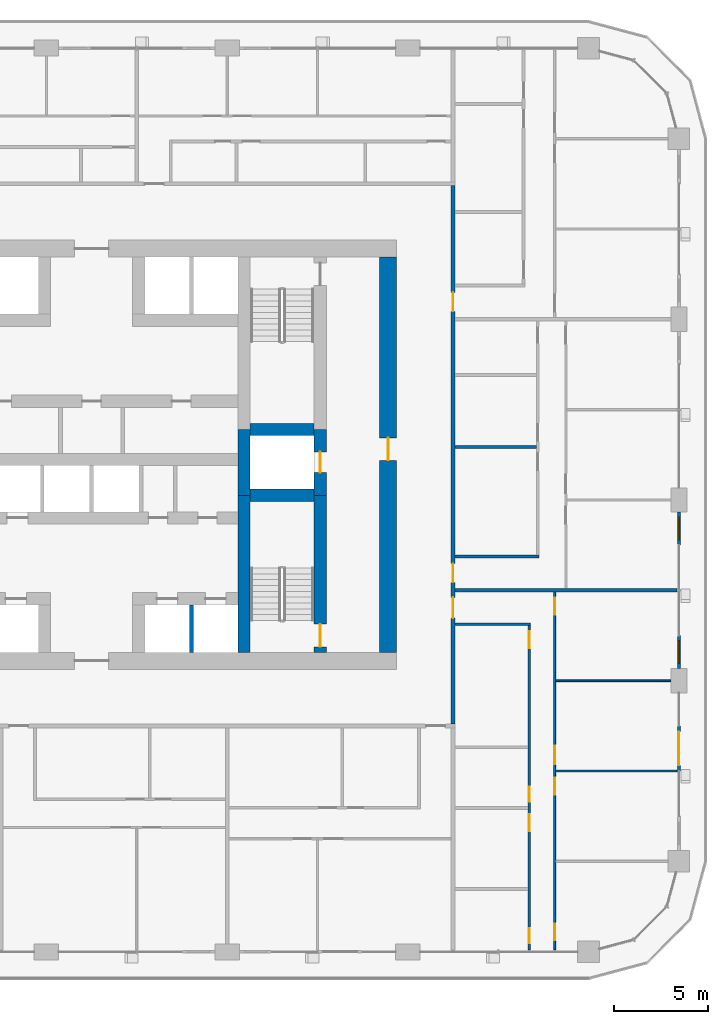
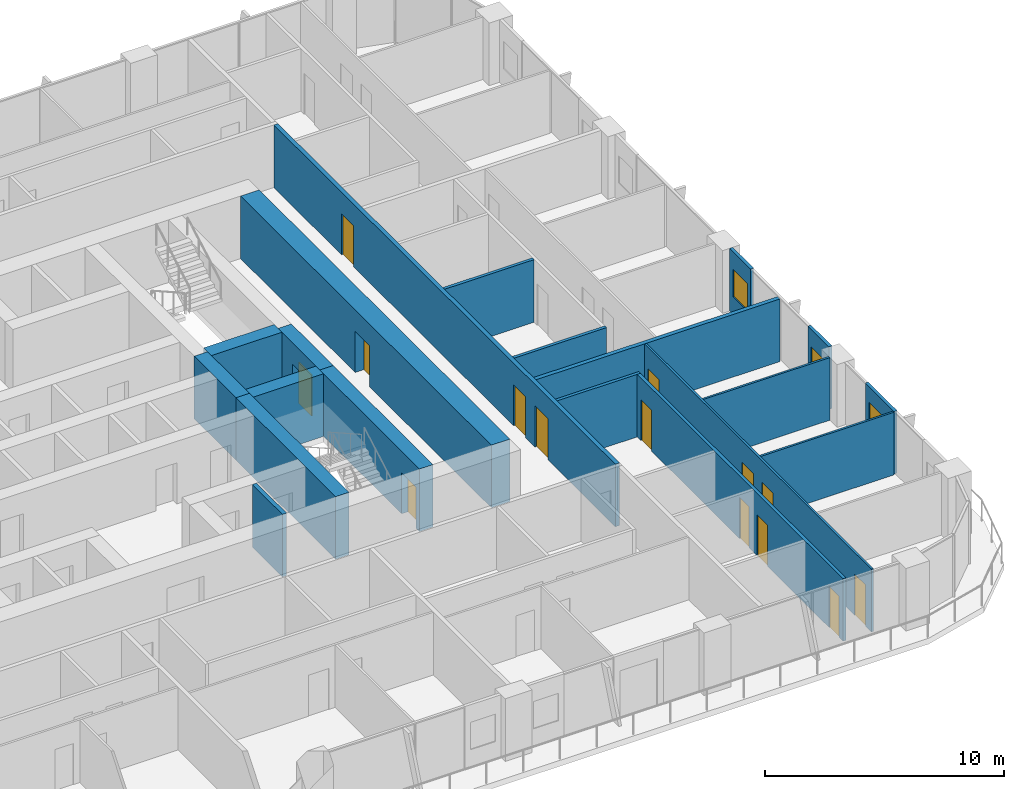
# One storey, part 12 of 22: 20 walls, 15 doors, 2 windows, 17 openings.
"""IFC4 building model written with IfcOpenShell, lengths in metres."""

from ifc_helpers import new_model, si_unit, direction, frame, frame_2d, origin, place, context, subcontext, project, spatial, rectangle, extrude, material, layer, layer_set, type_object, element, fill, save


model = new_model("IFC4")

# Units and contexts
model_context = context("Model", 3, precision=1e-05, world=origin(), true_north=direction((0.0, 1.0)))
body_context = subcontext(model_context, "Body", "Model", "MODEL_VIEW")
ifc_project = project(units=[si_unit("LENGTHUNIT", "METRE"), si_unit("AREAUNIT", "SQUARE_METRE"), si_unit("VOLUMEUNIT", "CUBIC_METRE"), si_unit("PLANEANGLEUNIT", "RADIAN"), si_unit("MASSUNIT", "GRAM", prefix="KILO")], contexts=[model_context])

# Site, building, storey
site_placement = place(None, origin())
site = spatial("IfcSite", under=ifc_project, at=site_placement, CompositionType="ELEMENT")
building_placement = place(site_placement, origin())
building = spatial("IfcBuilding", under=site, at=building_placement, Name="Madar Terraces", CompositionType="ELEMENT")
storey_placement = place(building_placement, frame((0.0, 0.0, 76.800048828125)))
storey = spatial("IfcBuildingStorey", under=building, at=storey_placement, Name="L19", CompositionType="ELEMENT", Elevation=76.800048828125)

# Walls
ifc_material_1 = material(Name="Concrete C80/95", Category="concrete")
ifc_layer_1 = layer(ifc_material_1, 0.64990234375)
ifc_layer_set_1 = layer_set([ifc_layer_1], Name="Concrete C80/95 (CIW2 RC wall 650)")
wall_type_1 = type_object("IfcWallType", Name="CIW2 RC wall 650", PredefinedType="SHEAR", material=ifc_layer_set_1)
wall_1_placement = place(storey_placement, frame((39.300048828125, 15.89990234375, 0.0), z_axis=(0.0, 0.0, 1.0), x_axis=(0.0, 1.0, 0.0)))
element("IfcWall", 1, at=wall_1_placement, inside=storey, type_object=wall_type_1, Name="CORE SHAFT WALL", PredefinedType="SHEAR", context=body_context, shape_type="SweptSolid", body=[
    extrude(rectangle(XDim=8.35009765625, YDim=0.64990234375, at=frame_2d((4.175048828125, 0.0))), origin(), (0.0, 0.0, 1.0), 3.199951171875),
])
wall_2_placement = place(storey_placement, frame((39.300048828125, 24.25, 0.0), z_axis=(0.0, 0.0, 1.0), x_axis=(0.0, 1.0, 0.0)))
element("IfcWall", 2, at=wall_2_placement, inside=storey, type_object=wall_type_1, Name="CORE SHAFT WALL", PredefinedType="SHEAR", context=body_context, shape_type="SweptSolid", body=[
    extrude(rectangle(XDim=3.5, YDim=0.64990234375, at=frame_2d((1.75, 0.0))), origin(), (0.0, 0.0, 1.0), 3.199951171875),
])

# Wall, opening, door
wall_3_placement = place(storey_placement, frame((43.35009765625, 15.89990234375, 0.0), z_axis=(0.0, 0.0, 1.0), x_axis=(0.0, 1.0, 0.0)))
wall_3 = element("IfcWall", 3, at=wall_3_placement, inside=storey, type_object=wall_type_1, Name="CORE SHAFT WALL", PredefinedType="SHEAR", context=body_context, shape_type="SweptSolid", body=[
    extrude(rectangle(XDim=8.35009765625, YDim=0.64990234375, at=frame_2d((4.175048828125, 0.0))), origin(), (0.0, 0.0, 1.0), 3.199951171875),
])
opening_1_placement = place(wall_3_placement, frame((0.300048828125, 0.0, 0.0)))
opening_1 = element("IfcOpeningElement", 4, at=opening_1_placement, cuts=wall_3, Name="Opening SD1", PredefinedType="OPENING", context=body_context, shape_type="SweptSolid", body=[
    extrude(rectangle(XDim=1.199951171875, YDim=2.10009765625, at=frame_2d((0.60009765625, 1.050048828125))), frame((0.0, 0.3349609375, 0.0), z_axis=(0.0, -1.0, 0.0), x_axis=(1.0, 0.0, 0.0)), (0.0, 0.0, 1.0), 0.669921875),
])
ifc_material_2 = material(Name="Steel door leaf", Category="steel")
door_type_1 = type_object("IfcDoorType", Name="Stair door 1200 x 2100", OperationType="NOTDEFINED", PredefinedType="DOOR", material=ifc_material_2)
door_1_placement = place(opening_1_placement, origin())
door_1 = element("IfcDoor", 5, at=door_1_placement, inside=storey, type_object=door_type_1, Name="STAIR DOOR", OperationType="SINGLE_SWING_RIGHT", OverallHeight=2.10009765625, OverallWidth=1.199951171875, PredefinedType="DOOR", context=body_context, shape_type="SweptSolid", body=[
    extrude(rectangle(XDim=1.199951171875, YDim=2.10009765625, at=frame_2d((0.60009765625, 1.050048828125))), frame((0.0, 0.02490234375, 0.0), z_axis=(0.0, -1.0, 0.0), x_axis=(1.0, 0.0, 0.0)), (0.0, 0.0, 1.0), 0.050048828125),
])
fill(opening_1, door_1)

wall_4_placement = place(storey_placement, frame((43.35009765625, 24.25, 0.0), z_axis=(0.0, 0.0, 1.0), x_axis=(0.0, 1.0, 0.0)))
wall_4 = element("IfcWall", 6, at=wall_4_placement, inside=storey, type_object=wall_type_1, Name="CORE SHAFT WALL", PredefinedType="SHEAR", context=body_context, shape_type="SweptSolid", body=[
    extrude(rectangle(XDim=3.5, YDim=0.64990234375, at=frame_2d((1.75, 0.0))), origin(), (0.0, 0.0, 1.0), 3.199951171875),
])
opening_2_placement = place(wall_4_placement, frame((1.199951171875, 0.0, 0.0)))
opening_2 = element("IfcOpeningElement", 7, at=opening_2_placement, cuts=wall_4, Name="Opening LD", PredefinedType="OPENING", context=body_context, shape_type="SweptSolid", body=[
    extrude(rectangle(XDim=1.10009765625, YDim=2.10009765625, at=frame_2d((0.550048828125, 1.050048828125))), frame((0.0, 0.3349609375, 0.0), z_axis=(0.0, -1.0, 0.0), x_axis=(1.0, 0.0, 0.0)), (0.0, 0.0, 1.0), 0.669921875),
])
ifc_material_3 = material(Name="Stainless steel panel", Category="steel")
door_type_2 = type_object("IfcDoorType", Name="Lift landing door 1100 x 2100", OperationType="DOUBLE_DOOR_SLIDING", PredefinedType="DOOR", material=ifc_material_3)
door_2_placement = place(opening_2_placement, origin())
door_2 = element("IfcDoor", 8, at=door_2_placement, inside=storey, type_object=door_type_2, Name="LIFT LANDING DOOR", OperationType="DOUBLE_DOOR_SLIDING", OverallHeight=2.10009765625, OverallWidth=1.10009765625, PredefinedType="DOOR", context=body_context, shape_type="SweptSolid", body=[
    extrude(rectangle(XDim=1.10009765625, YDim=2.10009765625, at=frame_2d((0.550048828125, 1.050048828125))), frame((0.0, 0.02490234375, 0.0), z_axis=(0.0, -1.0, 0.0), x_axis=(1.0, 0.0, 0.0)), (0.0, 0.0, 1.0), 0.050048828125),
])
fill(opening_2, door_2)

# Walls
for number, where, z_axis, x_axis, name in (
    (9, (39.625, 24.25, 0.0), (0.0, 0.0, 1.0), (1.0, 0.0, 0.0), "CORE SHAFT WALL"),
    (10, (39.625, 27.75, 0.0), (0.0, 0.0, 1.0), (1.0, 0.0, 0.0), "CORE SHAFT WALL"),
):
    element("IfcWall", number, at=place(storey_placement, frame(where, z_axis=z_axis, x_axis=x_axis)), inside=storey, type_object=wall_type_1, Name=name, PredefinedType="SHEAR", context=body_context, shape_type="SweptSolid", body=[
        extrude(rectangle(XDim=3.39990234375, YDim=0.64990234375, at=frame_2d((1.699951171875, 0.0))), origin(), (0.0, 0.0, 1.0), 3.199951171875),
    ])

# Wall, opening, door
ifc_material_4 = material(Name="Concrete C80/95", Category="concrete")
ifc_layer_2 = layer(ifc_material_4, 0.89990234375)
ifc_layer_set_2 = layer_set([ifc_layer_2], Name="Concrete C80/95 (CRW2 RC wall 900)")
wall_type_2 = type_object("IfcWallType", Name="CRW2 RC wall 900", PredefinedType="SHEAR", material=ifc_layer_set_2)
wall_5_placement = place(storey_placement, frame((46.949951171875, 15.89990234375, 0.0), z_axis=(0.0, 0.0, 1.0), x_axis=(0.0, 1.0, 0.0)))
wall_5 = element("IfcWall", 11, at=wall_5_placement, inside=storey, type_object=wall_type_2, Name="CORE OUTER WALL", PredefinedType="SHEAR", context=body_context, shape_type="SweptSolid", body=[
    extrude(rectangle(XDim=21.0, YDim=0.89990234375, at=frame_2d((10.5, 0.0))), origin(), (0.0, 0.0, 1.0), 3.199951171875),
])
opening_3_placement = place(wall_5_placement, frame((10.199951171875, 0.0, 0.0)))
opening_3 = element("IfcOpeningElement", 12, at=opening_3_placement, cuts=wall_5, Name="Opening SD1", PredefinedType="OPENING", context=body_context, shape_type="SweptSolid", body=[
    extrude(rectangle(XDim=1.199951171875, YDim=2.10009765625, at=frame_2d((0.60009765625, 1.050048828125))), frame((0.0, 0.4599609375, 0.0), z_axis=(0.0, -1.0, 0.0), x_axis=(1.0, 0.0, 0.0)), (0.0, 0.0, 1.0), 0.919921875),
])
door_3_placement = place(opening_3_placement, origin())
door_3 = element("IfcDoor", 13, at=door_3_placement, inside=storey, type_object=door_type_1, Name="STAIR DOOR", OperationType="SINGLE_SWING_LEFT", OverallHeight=2.10009765625, OverallWidth=1.199951171875, PredefinedType="DOOR", context=body_context, shape_type="SweptSolid", body=[
    extrude(rectangle(XDim=1.199951171875, YDim=2.10009765625, at=frame_2d((0.60009765625, 1.050048828125))), frame((0.0, 0.02490234375, 0.0), z_axis=(0.0, -1.0, 0.0), x_axis=(1.0, 0.0, 0.0)), (0.0, 0.0, 1.0), 0.050048828125),
])
fill(opening_3, door_3)

# Wall
ifc_material_5 = material(Name="Concrete C40/50", Category="concrete")
ifc_layer_3 = layer(ifc_material_5, 0.199951171875)
ifc_layer_set_3 = layer_set([ifc_layer_3], Name="Core shaft dividing wall 200 C40/50")
wall_type_3 = type_object("IfcWallType", Name="Core shaft dividing wall 200 C40/50", PredefinedType="SOLIDWALL", material=ifc_layer_set_3)
wall_6_placement = place(storey_placement, frame((36.5, 15.89990234375, 0.0), z_axis=(0.0, 0.0, 1.0), x_axis=(0.0, 1.0, 0.0)))
element("IfcWall", 14, at=wall_6_placement, inside=storey, type_object=wall_type_3, Name="SHAFT DIVIDING WALL", PredefinedType="SOLIDWALL", context=body_context, shape_type="SweptSolid", body=[
    extrude(rectangle(XDim=2.525146484375, YDim=0.199951171875, at=frame_2d((1.2626953125, 0.0))), origin(), (0.0, 0.0, 1.0), 3.199951171875),
])

# Wall, opening, door
ifc_material_6 = material(Name="Aluminium composite panel, black, over insulated backing", Category="aluminium")
ifc_layer_4 = layer(ifc_material_6, 0.14990234375)
ifc_layer_set_4 = layer_set([ifc_layer_4], Name="Facade bay panel 150")
wall_type_4 = type_object("IfcWallType", Name="Facade bay panel 150", PredefinedType="SOLIDWALL", material=ifc_layer_set_4)
wall_7_placement = place(storey_placement, frame((62.39990234375, 9.60009765625, 0.0), z_axis=(0.0, 0.0, 1.0), x_axis=(0.0, 1.0, 0.0)))
wall_7 = element("IfcWall", 15, at=wall_7_placement, inside=storey, type_object=wall_type_4, Name="Facade bay panel", PredefinedType="SOLIDWALL", context=body_context, shape_type="SweptSolid", body=[
    extrude(rectangle(XDim=2.39990234375, YDim=0.14990234375, at=frame_2d((1.199951171875, 0.0))), origin(), (0.0, 0.0, 1.0), 3.199951171875),
])
opening_4_placement = place(wall_7_placement, frame((0.300048828125, 0.0, 0.0)))
opening_4 = element("IfcOpeningElement", 16, at=opening_4_placement, cuts=wall_7, Name="Opening ED1", PredefinedType="OPENING", context=body_context, shape_type="SweptSolid", body=[
    extrude(rectangle(XDim=1.800048828125, YDim=2.39990234375, at=frame_2d((0.89990234375, 1.199951171875))), frame((0.0, 0.0849609375, 0.0), z_axis=(0.0, -1.0, 0.0), x_axis=(1.0, 0.0, 0.0)), (0.0, 0.0, 1.0), 0.169921875),
])
ifc_material_7 = material(Name="Glass, clear, with black aluminium frame", Category="aluminium")
door_type_3 = type_object("IfcDoorType", Name="Balcony and terrace sliding door 1800 x 2400", OperationType="SLIDING_TO_LEFT", PredefinedType="DOOR", material=ifc_material_7)
door_4_placement = place(opening_4_placement, origin())
door_4 = element("IfcDoor", 17, at=door_4_placement, inside=storey, type_object=door_type_3, Name="Balcony door", OperationType="SLIDING_TO_LEFT", OverallHeight=2.39990234375, OverallWidth=1.800048828125, PredefinedType="DOOR", context=body_context, shape_type="SweptSolid", body=[
    extrude(rectangle(XDim=1.800048828125, YDim=2.39990234375, at=frame_2d((0.89990234375, 1.199951171875))), frame((0.0, 0.02490234375, 0.0), z_axis=(0.0, -1.0, 0.0), x_axis=(1.0, 0.0, 0.0)), (0.0, 0.0, 1.0), 0.050048828125),
])
fill(opening_4, door_4)

# Wall, opening, window
wall_8_placement = place(storey_placement, frame((62.39990234375, 15.050048828125, 0.0), z_axis=(0.0, 0.0, 1.0), x_axis=(0.0, 1.0, 0.0)))
wall_8 = element("IfcWall", 18, at=wall_8_placement, inside=storey, type_object=wall_type_4, Name="Facade bay panel", PredefinedType="SOLIDWALL", context=body_context, shape_type="SweptSolid", body=[
    extrude(rectangle(XDim=1.75, YDim=0.14990234375, at=frame_2d((0.875, 0.0))), origin(), (0.0, 0.0, 1.0), 3.199951171875),
])
opening_5_placement = place(wall_8_placement, frame((0.27490234375, 0.0, 0.89990234375)))
opening_5 = element("IfcOpeningElement", 19, at=opening_5_placement, cuts=wall_8, Name="Opening W1", PredefinedType="OPENING", context=body_context, shape_type="SweptSolid", body=[
    extrude(rectangle(XDim=1.199951171875, YDim=1.39990234375, at=frame_2d((0.60009765625, 0.699951171875))), frame((0.0, 0.0849609375, 0.0), z_axis=(0.0, -1.0, 0.0), x_axis=(1.0, 0.0, 0.0)), (0.0, 0.0, 1.0), 0.169921875),
])
ifc_material_8 = material(Name="Glass, clear, with black aluminium frame", Category="aluminium")
window_type = type_object("IfcWindowType", Name="Vent window 1200 x 1400", PartitioningType="SINGLE_PANEL", PredefinedType="WINDOW", material=ifc_material_8)
window_1_placement = place(opening_5_placement, origin())
window_1 = element("IfcWindow", 20, at=window_1_placement, inside=storey, type_object=window_type, Name="Operable vent window", OverallHeight=1.39990234375, OverallWidth=1.199951171875, PartitioningType="SINGLE_PANEL", PredefinedType="WINDOW", context=body_context, shape_type="SweptSolid", body=[
    extrude(rectangle(XDim=1.199951171875, YDim=1.39990234375, at=frame_2d((0.60009765625, 0.699951171875))), frame((0.0, 0.030029296875, 0.0), z_axis=(0.0, -1.0, 0.0), x_axis=(1.0, 0.0, 0.0)), (0.0, 0.0, 1.0), 0.06005859375),
])
fill(opening_5, window_1)

wall_9_placement = place(storey_placement, frame((62.39990234375, 21.60009765625, 0.0), z_axis=(0.0, 0.0, 1.0), x_axis=(0.0, 1.0, 0.0)))
wall_9 = element("IfcWall", 21, at=wall_9_placement, inside=storey, type_object=wall_type_4, Name="Facade bay panel", PredefinedType="SOLIDWALL", context=body_context, shape_type="SweptSolid", body=[
    extrude(rectangle(XDim=1.75, YDim=0.14990234375, at=frame_2d((0.875, 0.0))), origin(), (0.0, 0.0, 1.0), 3.199951171875),
])
opening_6_placement = place(wall_9_placement, frame((0.27490234375, 0.0, 0.89990234375)))
opening_6 = element("IfcOpeningElement", 22, at=opening_6_placement, cuts=wall_9, Name="Opening W1", PredefinedType="OPENING", context=body_context, shape_type="SweptSolid", body=[
    extrude(rectangle(XDim=1.199951171875, YDim=1.39990234375, at=frame_2d((0.60009765625, 0.699951171875))), frame((0.0, 0.0849609375, 0.0), z_axis=(0.0, -1.0, 0.0), x_axis=(1.0, 0.0, 0.0)), (0.0, 0.0, 1.0), 0.169921875),
])
window_2_placement = place(opening_6_placement, origin())
window_2 = element("IfcWindow", 23, at=window_2_placement, inside=storey, type_object=window_type, Name="Operable vent window", OverallHeight=1.39990234375, OverallWidth=1.199951171875, PartitioningType="SINGLE_PANEL", PredefinedType="WINDOW", context=body_context, shape_type="SweptSolid", body=[
    extrude(rectangle(XDim=1.199951171875, YDim=1.39990234375, at=frame_2d((0.60009765625, 0.699951171875))), frame((0.0, 0.030029296875, 0.0), z_axis=(0.0, -1.0, 0.0), x_axis=(1.0, 0.0, 0.0)), (0.0, 0.0, 1.0), 0.06005859375),
])
fill(opening_6, window_2)

# Walls
ifc_material_9 = material(Name="Gypsum board on steel studs", Category="steel")
ifc_layer_5 = layer(ifc_material_9, 0.10009765625)
ifc_layer_set_5 = layer_set([ifc_layer_5], Name="Flat partition 100")
wall_type_5 = type_object("IfcWallType", Name="Flat partition 100", PredefinedType="PARTITIONING", material=ifc_layer_set_5)
wall_10_placement = place(storey_placement, frame((55.85009765625, 14.39990234375, 0.0), z_axis=(0.0, 0.0, 1.0), x_axis=(1.0, 0.0, 0.0)))
element("IfcWall", 24, at=wall_10_placement, inside=storey, type_object=wall_type_5, Name="Flat partition 100", PredefinedType="PARTITIONING", context=body_context, shape_type="SweptSolid", body=[
    extrude(rectangle(XDim=6.125, YDim=0.10009765625, at=frame_2d((3.0625, 0.0))), origin(), (0.0, 0.0, 1.0), 3.199951171875),
])
wall_11_placement = place(storey_placement, frame((55.85009765625, 9.60009765625, 0.0), z_axis=(0.0, 0.0, 1.0), x_axis=(1.0, 0.0, 0.0)))
element("IfcWall", 25, at=wall_11_placement, inside=storey, type_object=wall_type_5, Name="Flat partition 100", PredefinedType="PARTITIONING", context=body_context, shape_type="SweptSolid", body=[
    extrude(rectangle(XDim=6.449951171875, YDim=0.10009765625, at=frame_2d((3.22509765625, 0.0))), origin(), (0.0, 0.0, 1.0), 3.199951171875),
])

# Wall, openings, doors
wall_12_placement = place(storey_placement, frame((55.800048828125, 19.10009765625, 0.0), z_axis=(0.0, 0.0, 1.0), x_axis=(0.0, -1.0, 0.0)))
wall_12 = element("IfcWall", 26, at=wall_12_placement, inside=storey, type_object=wall_type_5, Name="Flat partition 100", PredefinedType="PARTITIONING", context=body_context, shape_type="SweptSolid", body=[
    extrude(rectangle(XDim=19.0, YDim=0.10009765625, at=frame_2d((9.5, 0.0))), origin(), (0.0, 0.0, 1.0), 3.199951171875),
])
opening_7_placement = place(wall_12_placement, frame((0.300048828125, 0.0, 0.0)))
opening_7 = element("IfcOpeningElement", 27, at=opening_7_placement, cuts=wall_12, Name="Opening D2", PredefinedType="OPENING", context=body_context, shape_type="SweptSolid", body=[
    extrude(rectangle(XDim=0.89990234375, YDim=2.10009765625, at=frame_2d((0.449951171875, 1.050048828125))), frame((0.0, 0.06005859375, 0.0), z_axis=(0.0, -1.0, 0.0), x_axis=(1.0, 0.0, 0.0)), (0.0, 0.0, 1.0), 0.1201171875),
])
opening_8_placement = place(wall_12_placement, frame((8.14990234375, 0.0, 0.0)))
opening_8 = element("IfcOpeningElement", 28, at=opening_8_placement, cuts=wall_12, Name="Opening D3", PredefinedType="OPENING", context=body_context, shape_type="SweptSolid", body=[
    extrude(rectangle(XDim=1.0, YDim=2.10009765625, at=frame_2d((0.5, 1.050048828125))), frame((0.0, 0.06005859375, 0.0), z_axis=(0.0, -1.0, 0.0), x_axis=(1.0, 0.0, 0.0)), (0.0, 0.0, 1.0), 0.1201171875),
])
opening_9_placement = place(wall_12_placement, frame((9.85009765625, 0.0, 0.0)))
opening_9 = element("IfcOpeningElement", 29, at=opening_9_placement, cuts=wall_12, Name="Opening D2", PredefinedType="OPENING", context=body_context, shape_type="SweptSolid", body=[
    extrude(rectangle(XDim=0.89990234375, YDim=2.10009765625, at=frame_2d((0.449951171875, 1.050048828125))), frame((0.0, 0.06005859375, 0.0), z_axis=(0.0, -1.0, 0.0), x_axis=(1.0, 0.0, 0.0)), (0.0, 0.0, 1.0), 0.1201171875),
])
opening_10_placement = place(wall_12_placement, frame((17.60009765625, 0.0, 0.0)))
opening_10 = element("IfcOpeningElement", 30, at=opening_10_placement, cuts=wall_12, Name="Opening D2", PredefinedType="OPENING", context=body_context, shape_type="SweptSolid", body=[
    extrude(rectangle(XDim=0.89990234375, YDim=2.10009765625, at=frame_2d((0.449951171875, 1.050048828125))), frame((0.0, 0.06005859375, 0.0), z_axis=(0.0, -1.0, 0.0), x_axis=(1.0, 0.0, 0.0)), (0.0, 0.0, 1.0), 0.1201171875),
])
ifc_material_10 = material(Name="Timber door leaf", Category="wood")
door_type_4 = type_object("IfcDoorType", Name="Flat living room door 1000", OperationType="NOTDEFINED", PredefinedType="DOOR", material=ifc_material_10)
door_5_placement = place(opening_8_placement, origin())
door_5 = element("IfcDoor", 31, at=door_5_placement, inside=storey, type_object=door_type_4, Name="Flat living room door 1000", OperationType="SINGLE_SWING_RIGHT", OverallHeight=2.10009765625, OverallWidth=1.0, PredefinedType="DOOR", context=body_context, shape_type="SweptSolid", body=[
    extrude(rectangle(XDim=1.0, YDim=2.10009765625, at=frame_2d((0.5, 1.050048828125))), frame((0.0, 0.02490234375, 0.0), z_axis=(0.0, -1.0, 0.0), x_axis=(1.0, 0.0, 0.0)), (0.0, 0.0, 1.0), 0.050048828125),
])
fill(opening_8, door_5)
ifc_material_11 = material(Name="Timber door leaf", Category="wood")
door_type_5 = type_object("IfcDoorType", Name="Flat room door 900", OperationType="NOTDEFINED", PredefinedType="DOOR", material=ifc_material_11)
door_6_placement = place(opening_7_placement, origin())
door_6 = element("IfcDoor", 32, at=door_6_placement, inside=storey, type_object=door_type_5, Name="Flat room door 900", OperationType="SINGLE_SWING_LEFT", OverallHeight=2.10009765625, OverallWidth=0.89990234375, PredefinedType="DOOR", context=body_context, shape_type="SweptSolid", body=[
    extrude(rectangle(XDim=0.89990234375, YDim=2.10009765625, at=frame_2d((0.449951171875, 1.050048828125))), frame((0.0, 0.02490234375, 0.0), z_axis=(0.0, -1.0, 0.0), x_axis=(1.0, 0.0, 0.0)), (0.0, 0.0, 1.0), 0.050048828125),
])
fill(opening_7, door_6)
door_7_placement = place(opening_9_placement, origin())
door_7 = element("IfcDoor", 33, at=door_7_placement, inside=storey, type_object=door_type_5, Name="Flat room door 900", OperationType="SINGLE_SWING_LEFT", OverallHeight=2.10009765625, OverallWidth=0.89990234375, PredefinedType="DOOR", context=body_context, shape_type="SweptSolid", body=[
    extrude(rectangle(XDim=0.89990234375, YDim=2.10009765625, at=frame_2d((0.449951171875, 1.050048828125))), frame((0.0, 0.02490234375, 0.0), z_axis=(0.0, -1.0, 0.0), x_axis=(1.0, 0.0, 0.0)), (0.0, 0.0, 1.0), 0.050048828125),
])
fill(opening_9, door_7)
door_8_placement = place(opening_10_placement, origin())
door_8 = element("IfcDoor", 34, at=door_8_placement, inside=storey, type_object=door_type_5, Name="Flat room door 900", OperationType="SINGLE_SWING_RIGHT", OverallHeight=2.10009765625, OverallWidth=0.89990234375, PredefinedType="DOOR", context=body_context, shape_type="SweptSolid", body=[
    extrude(rectangle(XDim=0.89990234375, YDim=2.10009765625, at=frame_2d((0.449951171875, 1.050048828125))), frame((0.0, 0.02490234375, 0.0), z_axis=(0.0, -1.0, 0.0), x_axis=(1.0, 0.0, 0.0)), (0.0, 0.0, 1.0), 0.050048828125),
])
fill(opening_10, door_8)

ifc_material_12 = material(Name="Lightweight blockwork", Category="masonry")
ifc_layer_6 = layer(ifc_material_12, 0.199951171875)
ifc_layer_set_6 = layer_set([ifc_layer_6], Name="Flat party and entrance wall 200")
wall_type_6 = type_object("IfcWallType", Name="Flat party and entrance wall 200", PredefinedType="PARTITIONING", material=ifc_layer_set_6)
wall_13_placement = place(storey_placement, frame((50.39990234375, 40.699951171875, 0.0), z_axis=(0.0, 0.0, 1.0), x_axis=(0.0, -1.0, 0.0)))
wall_13 = element("IfcWall", 35, at=wall_13_placement, inside=storey, type_object=wall_type_6, Name="Flat party and entrance wall 200", PredefinedType="PARTITIONING", context=body_context, shape_type="SweptSolid", body=[
    extrude(rectangle(XDim=28.599853515625, YDim=0.199951171875, at=frame_2d((14.2998046875, 0.0))), origin(), (0.0, 0.0, 1.0), 3.199951171875),
])
opening_11_placement = place(wall_13_placement, frame((21.875, 0.0, 0.0)))
opening_11 = element("IfcOpeningElement", 36, at=opening_11_placement, cuts=wall_13, Name="Opening D6", PredefinedType="OPENING", context=body_context, shape_type="SweptSolid", body=[
    extrude(rectangle(XDim=1.10009765625, YDim=2.10009765625, at=frame_2d((0.550048828125, 1.050048828125))), frame((0.0, 0.10986328125, 0.0), z_axis=(0.0, -1.0, 0.0), x_axis=(1.0, 0.0, 0.0)), (0.0, 0.0, 1.0), 0.219970703125),
])
opening_12_placement = place(wall_13_placement, frame((20.074951171875, 0.0, 0.0)))
opening_12 = element("IfcOpeningElement", 37, at=opening_12_placement, cuts=wall_13, Name="Opening D1", PredefinedType="OPENING", context=body_context, shape_type="SweptSolid", body=[
    extrude(rectangle(XDim=1.0, YDim=2.10009765625, at=frame_2d((0.5, 1.050048828125))), frame((0.0, 0.10986328125, 0.0), z_axis=(0.0, -1.0, 0.0), x_axis=(1.0, 0.0, 0.0)), (0.0, 0.0, 1.0), 0.219970703125),
])
opening_13_placement = place(wall_13_placement, frame((5.675048828125, 0.0, 0.0)))
opening_13 = element("IfcOpeningElement", 38, at=opening_13_placement, cuts=wall_13, Name="Opening D1", PredefinedType="OPENING", context=body_context, shape_type="SweptSolid", body=[
    extrude(rectangle(XDim=1.0, YDim=2.10009765625, at=frame_2d((0.5, 1.050048828125))), frame((0.0, 0.10986328125, 0.0), z_axis=(0.0, -1.0, 0.0), x_axis=(1.0, 0.0, 0.0)), (0.0, 0.0, 1.0), 0.219970703125),
])
ifc_material_13 = material(Name="Timber fire door leaf", Category="wood")
door_type_6 = type_object("IfcDoorType", Name="Flat entrance door 1000 FD30S", OperationType="NOTDEFINED", PredefinedType="DOOR", material=ifc_material_13)
door_9_placement = place(opening_12_placement, origin())
door_9 = element("IfcDoor", 39, at=door_9_placement, inside=storey, type_object=door_type_6, Name="Flat entrance door 1000 FD30S", OperationType="SINGLE_SWING_RIGHT", OverallHeight=2.10009765625, OverallWidth=1.0, PredefinedType="DOOR", context=body_context, shape_type="SweptSolid", body=[
    extrude(rectangle(XDim=1.0, YDim=2.10009765625, at=frame_2d((0.5, 1.050048828125))), frame((0.0, 0.02490234375, 0.0), z_axis=(0.0, -1.0, 0.0), x_axis=(1.0, 0.0, 0.0)), (0.0, 0.0, 1.0), 0.050048828125),
])
fill(opening_12, door_9)
door_10_placement = place(opening_13_placement, origin())
door_10 = element("IfcDoor", 40, at=door_10_placement, inside=storey, type_object=door_type_6, Name="Flat entrance door 1000 FD30S", OperationType="SINGLE_SWING_RIGHT", OverallHeight=2.10009765625, OverallWidth=1.0, PredefinedType="DOOR", context=body_context, shape_type="SweptSolid", body=[
    extrude(rectangle(XDim=1.0, YDim=2.10009765625, at=frame_2d((0.5, 1.050048828125))), frame((0.0, 0.02490234375, 0.0), z_axis=(0.0, -1.0, 0.0), x_axis=(1.0, 0.0, 0.0)), (0.0, 0.0, 1.0), 0.050048828125),
])
fill(opening_13, door_10)
ifc_material_14 = material(Name="Timber fire door leaf", Category="wood")
door_type_7 = type_object("IfcDoorType", Name="Flat entrance door 1100 FD30S", OperationType="NOTDEFINED", PredefinedType="DOOR", material=ifc_material_14)
door_11_placement = place(opening_11_placement, origin())
door_11 = element("IfcDoor", 41, at=door_11_placement, inside=storey, type_object=door_type_7, Name="Flat entrance door 1100 FD30S", OperationType="SINGLE_SWING_LEFT", OverallHeight=2.10009765625, OverallWidth=1.10009765625, PredefinedType="DOOR", context=body_context, shape_type="SweptSolid", body=[
    extrude(rectangle(XDim=1.10009765625, YDim=2.10009765625, at=frame_2d((0.550048828125, 1.050048828125))), frame((0.0, 0.02490234375, 0.0), z_axis=(0.0, -1.0, 0.0), x_axis=(1.0, 0.0, 0.0)), (0.0, 0.0, 1.0), 0.050048828125),
])
fill(opening_11, door_11)

# Walls
wall_14_placement = place(storey_placement, frame((50.5, 19.199951171875, 0.0), z_axis=(0.0, 0.0, 1.0), x_axis=(1.0, 0.0, 0.0)))
element("IfcWall", 42, at=wall_14_placement, inside=storey, type_object=wall_type_6, Name="Flat party and entrance wall 200", PredefinedType="PARTITIONING", context=body_context, shape_type="SweptSolid", body=[
    extrude(rectangle(XDim=11.800048828125, YDim=0.199951171875, at=frame_2d((5.89990234375, 0.0))), origin(), (0.0, 0.0, 1.0), 3.199951171875),
])
ifc_material_15 = material(Name="Lightweight blockwork", Category="masonry")
ifc_layer_7 = layer(ifc_material_15, 0.14990234375)
ifc_layer_set_7 = layer_set([ifc_layer_7], Name="Flat wet-room partition 150")
wall_type_7 = type_object("IfcWallType", Name="Flat wet-room partition 150", PredefinedType="PARTITIONING", material=ifc_layer_set_7)
wall_15_placement = place(storey_placement, frame((50.5, 17.39990234375, 0.0), z_axis=(0.0, 0.0, 1.0), x_axis=(1.0, 0.0, 0.0)))
element("IfcWall", 43, at=wall_15_placement, inside=storey, type_object=wall_type_7, Name="Flat wet-room partition 150", PredefinedType="PARTITIONING", context=body_context, shape_type="SweptSolid", body=[
    extrude(rectangle(XDim=4.02490234375, YDim=0.14990234375, at=frame_2d((2.012451171875, 0.0))), origin(), (0.0, 0.0, 1.0), 3.199951171875),
])

# Wall, openings, doors
wall_16_placement = place(storey_placement, frame((54.449951171875, 0.10009765625, 0.0), z_axis=(0.0, 0.0, 1.0), x_axis=(0.0, 1.0, 0.0)))
wall_16 = element("IfcWall", 44, at=wall_16_placement, inside=storey, type_object=wall_type_7, Name="Flat wet-room partition 150", PredefinedType="PARTITIONING", context=body_context, shape_type="SweptSolid", body=[
    extrude(rectangle(XDim=17.224853515625, YDim=0.14990234375, at=frame_2d((8.6123046875, 0.0))), origin(), (0.0, 0.0, 1.0), 3.199951171875),
])
opening_14_placement = place(wall_16_placement, frame((16.02490234375, 0.0, 0.0)))
opening_14 = element("IfcOpeningElement", 45, at=opening_14_placement, cuts=wall_16, Name="Opening D2", PredefinedType="OPENING", context=body_context, shape_type="SweptSolid", body=[
    extrude(rectangle(XDim=0.89990234375, YDim=2.10009765625, at=frame_2d((0.449951171875, 1.050048828125))), frame((0.0, 0.0849609375, 0.0), z_axis=(0.0, -1.0, 0.0), x_axis=(1.0, 0.0, 0.0)), (0.0, 0.0, 1.0), 0.169921875),
])
opening_15_placement = place(wall_16_placement, frame((7.86083984375, 0.0, 0.0)))
opening_15 = element("IfcOpeningElement", 46, at=opening_15_placement, cuts=wall_16, Name="Opening D7", PredefinedType="OPENING", context=body_context, shape_type="SweptSolid", body=[
    extrude(rectangle(XDim=0.800048828125, YDim=2.10009765625, at=frame_2d((0.39990234375, 1.050048828125))), frame((0.0, 0.0849609375, 0.0), z_axis=(0.0, -1.0, 0.0), x_axis=(1.0, 0.0, 0.0)), (0.0, 0.0, 1.0), 0.169921875),
])
opening_16_placement = place(wall_16_placement, frame((6.310791015625, 0.0, 0.0)))
opening_16 = element("IfcOpeningElement", 47, at=opening_16_placement, cuts=wall_16, Name="Opening D5", PredefinedType="OPENING", context=body_context, shape_type="SweptSolid", body=[
    extrude(rectangle(XDim=0.89990234375, YDim=2.10009765625, at=frame_2d((0.449951171875, 1.050048828125))), frame((0.0, 0.0849609375, 0.0), z_axis=(0.0, -1.0, 0.0), x_axis=(1.0, 0.0, 0.0)), (0.0, 0.0, 1.0), 0.169921875),
])
opening_17_placement = place(wall_16_placement, frame((0.35009765625, 0.0, 0.0)))
opening_17 = element("IfcOpeningElement", 48, at=opening_17_placement, cuts=wall_16, Name="Opening D4", PredefinedType="OPENING", context=body_context, shape_type="SweptSolid", body=[
    extrude(rectangle(XDim=0.800048828125, YDim=2.10009765625, at=frame_2d((0.39990234375, 1.050048828125))), frame((0.0, 0.0849609375, 0.0), z_axis=(0.0, -1.0, 0.0), x_axis=(1.0, 0.0, 0.0)), (0.0, 0.0, 1.0), 0.169921875),
])
ifc_material_16 = material(Name="Timber door leaf", Category="wood")
door_type_8 = type_object("IfcDoorType", Name="Flat accessible bathroom door 900", OperationType="NOTDEFINED", PredefinedType="DOOR", material=ifc_material_16)
door_12_placement = place(opening_16_placement, origin())
door_12 = element("IfcDoor", 49, at=door_12_placement, inside=storey, type_object=door_type_8, Name="Flat accessible bathroom door 900", OperationType="SINGLE_SWING_RIGHT", OverallHeight=2.10009765625, OverallWidth=0.89990234375, PredefinedType="DOOR", context=body_context, shape_type="SweptSolid", body=[
    extrude(rectangle(XDim=0.89990234375, YDim=2.10009765625, at=frame_2d((0.449951171875, 1.050048828125))), frame((0.0, 0.02490234375, 0.0), z_axis=(0.0, -1.0, 0.0), x_axis=(1.0, 0.0, 0.0)), (0.0, 0.0, 1.0), 0.050048828125),
])
fill(opening_16, door_12)
ifc_material_17 = material(Name="Timber door leaf", Category="wood")
door_type_9 = type_object("IfcDoorType", Name="Flat bathroom door 800", OperationType="NOTDEFINED", PredefinedType="DOOR", material=ifc_material_17)
door_13_placement = place(opening_17_placement, origin())
door_13 = element("IfcDoor", 50, at=door_13_placement, inside=storey, type_object=door_type_9, Name="Flat bathroom door 800", OperationType="SINGLE_SWING_LEFT", OverallHeight=2.10009765625, OverallWidth=0.800048828125, PredefinedType="DOOR", context=body_context, shape_type="SweptSolid", body=[
    extrude(rectangle(XDim=0.800048828125, YDim=2.10009765625, at=frame_2d((0.39990234375, 1.050048828125))), frame((0.0, 0.02490234375, 0.0), z_axis=(0.0, -1.0, 0.0), x_axis=(1.0, 0.0, 0.0)), (0.0, 0.0, 1.0), 0.050048828125),
])
fill(opening_17, door_13)
door_14_placement = place(opening_14_placement, origin())
door_14 = element("IfcDoor", 51, at=door_14_placement, inside=storey, type_object=door_type_5, Name="Flat room door 900", OperationType="SINGLE_SWING_RIGHT", OverallHeight=2.10009765625, OverallWidth=0.89990234375, PredefinedType="DOOR", context=body_context, shape_type="SweptSolid", body=[
    extrude(rectangle(XDim=0.89990234375, YDim=2.10009765625, at=frame_2d((0.449951171875, 1.050048828125))), frame((0.0, 0.02490234375, 0.0), z_axis=(0.0, -1.0, 0.0), x_axis=(1.0, 0.0, 0.0)), (0.0, 0.0, 1.0), 0.050048828125),
])
fill(opening_14, door_14)
ifc_material_18 = material(Name="Timber door leaf", Category="wood")
door_type_10 = type_object("IfcDoorType", Name="Flat utility door 800", OperationType="NOTDEFINED", PredefinedType="DOOR", material=ifc_material_18)
door_15_placement = place(opening_15_placement, origin())
door_15 = element("IfcDoor", 52, at=door_15_placement, inside=storey, type_object=door_type_10, Name="Flat utility door 800", OperationType="SINGLE_SWING_LEFT", OverallHeight=2.10009765625, OverallWidth=0.800048828125, PredefinedType="DOOR", context=body_context, shape_type="SweptSolid", body=[
    extrude(rectangle(XDim=0.800048828125, YDim=2.10009765625, at=frame_2d((0.39990234375, 1.050048828125))), frame((0.0, 0.02490234375, 0.0), z_axis=(0.0, -1.0, 0.0), x_axis=(1.0, 0.0, 0.0)), (0.0, 0.0, 1.0), 0.050048828125),
])
fill(opening_15, door_15)

# Walls
wall_17_placement = place(storey_placement, frame((50.5, 26.8095703125, 0.0), z_axis=(0.0, 0.0, 1.0), x_axis=(1.0, 0.0, 0.0)))
element("IfcWall", 53, at=wall_17_placement, inside=storey, type_object=wall_type_7, Name="Flat wet-room partition 150", PredefinedType="PARTITIONING", context=body_context, shape_type="SweptSolid", body=[
    extrude(rectangle(XDim=4.324951171875, YDim=0.14990234375, at=frame_2d((2.16259765625, 0.0))), origin(), (0.0, 0.0, 1.0), 3.199951171875),
])
wall_18_placement = place(storey_placement, frame((50.5, 21.0, 0.0), z_axis=(0.0, 0.0, 1.0), x_axis=(1.0, 0.0, 0.0)))
element("IfcWall", 54, at=wall_18_placement, inside=storey, type_object=wall_type_7, Name="Flat wet-room partition 150", PredefinedType="PARTITIONING", context=body_context, shape_type="SweptSolid", body=[
    extrude(rectangle(XDim=4.47509765625, YDim=0.14990234375, at=frame_2d((2.237548828125, 0.0))), origin(), (0.0, 0.0, 1.0), 3.199951171875),
])

save(model, "model.ifc")
